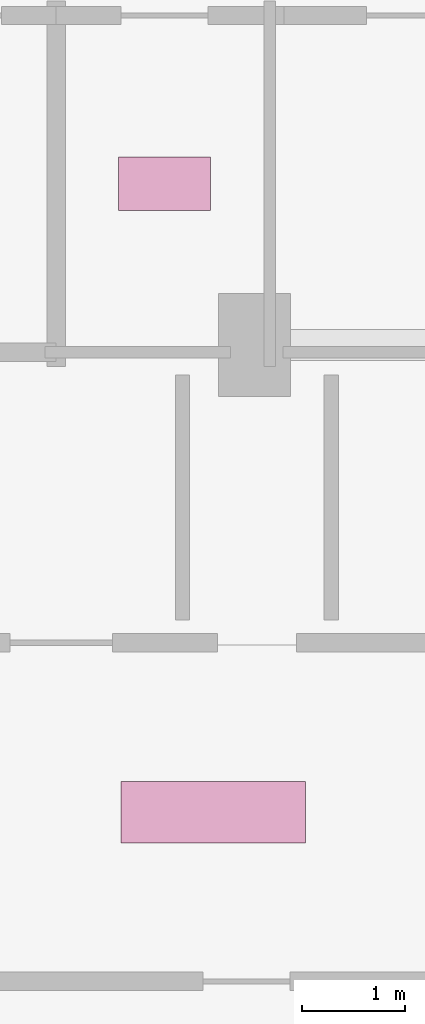
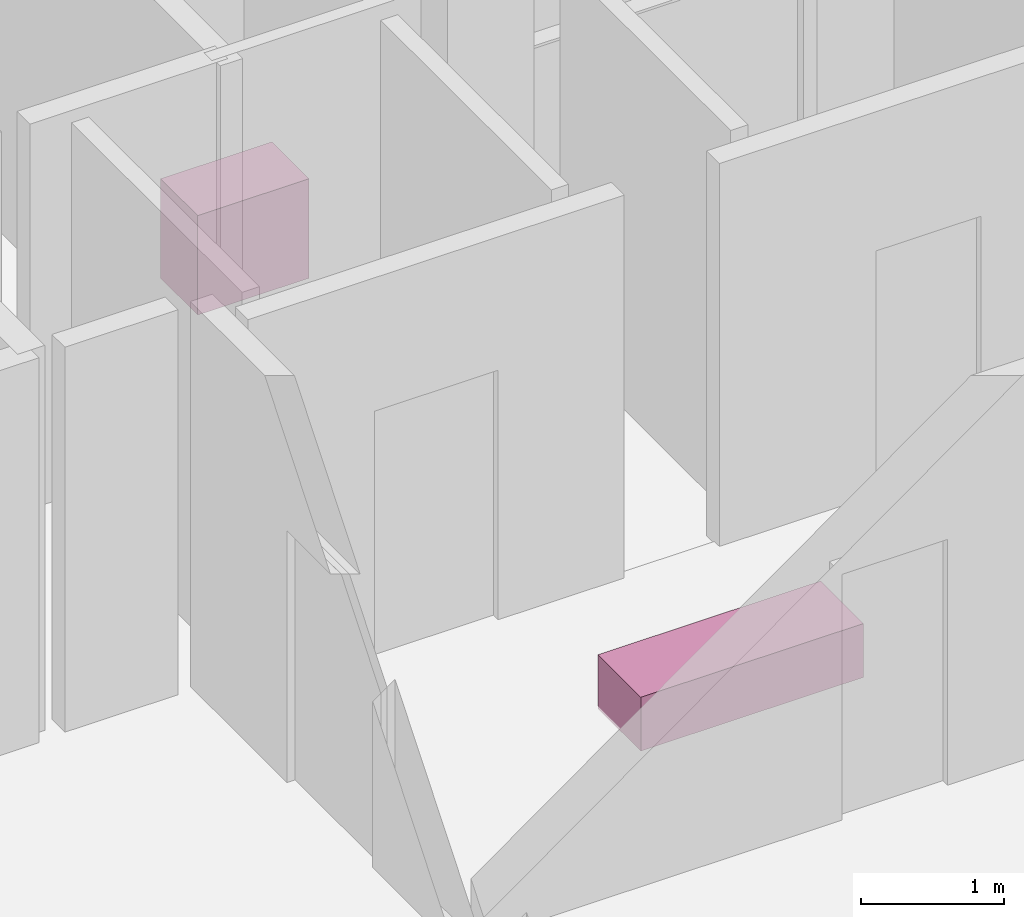
# One storey, part 31 of 31: 2 furnishings.
"""IFC4 building model written with IfcOpenShell, lengths in metres."""

from ifc_helpers import new_model, si_unit, direction, frame, origin, origin_2d, place, context, subcontext, project, spatial, rectangle, extrude, material, type_object, element, save


model = new_model("IFC4")

# Units and contexts
model_context = context("Model", 3, precision=1e-05, world=origin(), true_north=direction((0.0, 1.0)))
body_context = subcontext(model_context, "Body", "Model", "MODEL_VIEW")
ifc_project = project(units=[si_unit("LENGTHUNIT", "METRE"), si_unit("AREAUNIT", "SQUARE_METRE"), si_unit("VOLUMEUNIT", "CUBIC_METRE"), si_unit("PLANEANGLEUNIT", "RADIAN"), si_unit("MASSUNIT", "GRAM", prefix="KILO")], contexts=[model_context])

# Site, building, storey
site_placement = place(None, origin())
site = spatial("IfcSite", under=ifc_project, at=site_placement, CompositionType="ELEMENT")
building_placement = place(site_placement, origin())
building = spatial("IfcBuilding", under=site, at=building_placement, Name="Vorneva Point Tower", CompositionType="ELEMENT")
storey_placement = place(building_placement, frame((0.0, 0.0, 248.449951171875)))
storey = spatial("IfcBuildingStorey", under=building, at=storey_placement, Name="L67", CompositionType="ELEMENT", Elevation=248.449951171875)

# Furnishings
ifc_material_1 = material(Name="Engineered oak fire-rated door leaf", Category="wood")
furniture_type_1 = type_object("IfcFurnitureType", Name="FUR-BNC-1800", AssemblyPlace="NOTDEFINED", PredefinedType="NOTDEFINED", material=ifc_material_1)
furnishing_1_placement = place(storey_placement, frame((35.0, 26.0, -0.0048828125), z_axis=(0.0, 0.0, 1.0), x_axis=(1.0, 0.0, 0.0)))
element("IfcFurnishingElement", 1, at=furnishing_1_placement, inside=storey, type_object=furniture_type_1, Name="L67 Lift Lobby Seating Bench", ObjectType="L67 Lift Lobby Seating Bench", context=body_context, shape_type="SweptSolid", body=[
    extrude(rectangle(XDim=1.800048828125, YDim=0.60009765625, at=origin_2d()), origin(), (0.0, 0.0, 1.0), 0.4599609375),
])
ifc_material_2 = material(Name="Vitreous china and granite top", Category="masonry")
furniture_type_2 = type_object("IfcFurnitureType", Name="FUR-VAN-900", AssemblyPlace="NOTDEFINED", PredefinedType="NOTDEFINED", material=ifc_material_2)
furnishing_2_placement = place(storey_placement, frame((34.52490234375, 32.1201171875, -0.0048828125), z_axis=(0.0, 0.0, 1.0), x_axis=(1.0, 0.0, 0.0)))
element("IfcFurnishingElement", 2, at=furnishing_2_placement, inside=storey, type_object=furniture_type_2, Name="L67 Accessible WC Vanity Unit", ObjectType="L67 Accessible WC Vanity Unit", context=body_context, shape_type="SweptSolid", body=[
    extrude(rectangle(XDim=0.89990234375, YDim=0.52001953125, at=origin_2d()), origin(), (0.0, 0.0, 1.0), 0.85009765625),
])

save(model, "model.ifc")
